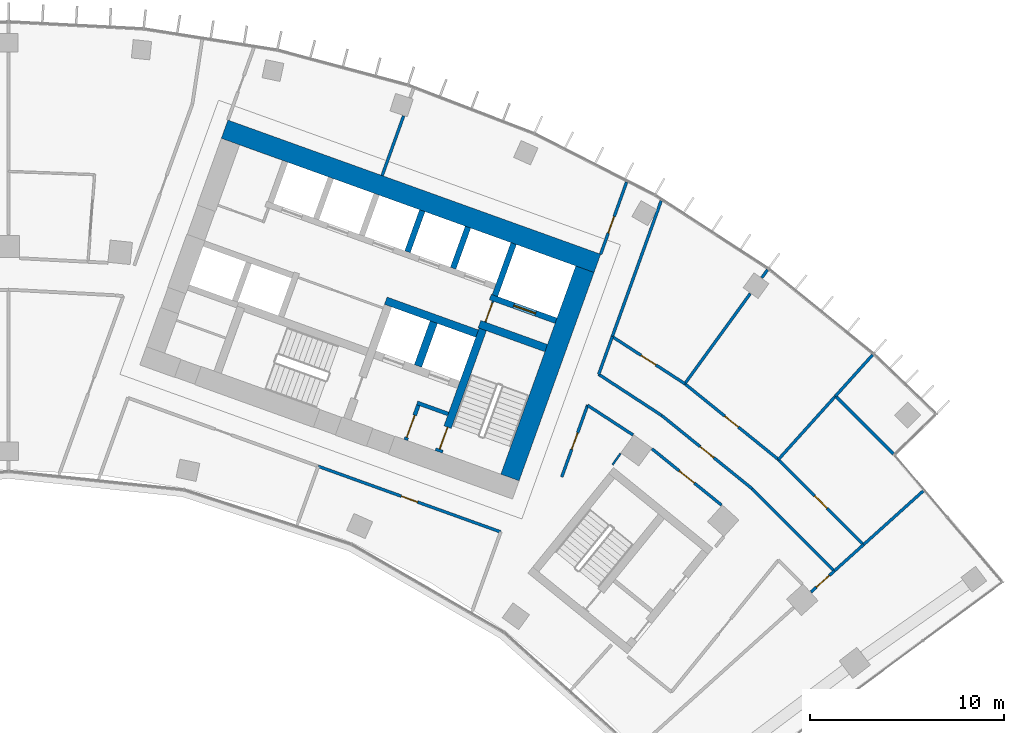
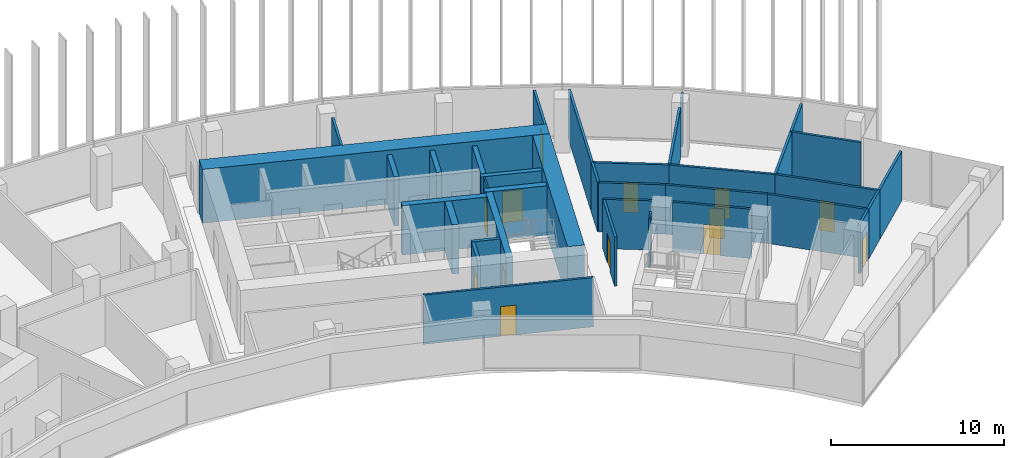
# One storey, part 17 of 19: 36 walls, 13 doors, 13 openings.
"""IFC4 building model written with IfcOpenShell, lengths in metres."""

from ifc_helpers import new_model, si_unit, direction, frame, frame_2d, origin, place, context, subcontext, project, spatial, rectangle, extrude, material, layer, layer_set, type_object, element, fill, save


model = new_model("IFC4")

# Units and contexts
model_context = context("Model", 3, precision=1e-05, world=origin(), true_north=direction((0.0, 1.0)))
body_context = subcontext(model_context, "Body", "Model", "MODEL_VIEW")
ifc_project = project(units=[si_unit("LENGTHUNIT", "METRE"), si_unit("AREAUNIT", "SQUARE_METRE"), si_unit("VOLUMEUNIT", "CUBIC_METRE"), si_unit("PLANEANGLEUNIT", "RADIAN"), si_unit("MASSUNIT", "GRAM", prefix="KILO")], contexts=[model_context])

# Site, building, storey
site_placement = place(None, origin())
site = spatial("IfcSite", under=ifc_project, at=site_placement, CompositionType="ELEMENT")
building_placement = place(site_placement, origin())
building = spatial("IfcBuilding", under=site, at=building_placement, Name="Stone Belt Terrace Tower", CompositionType="ELEMENT")
storey_placement = place(building_placement, frame((0.0, 0.0, 223.800048828125)))
storey = spatial("IfcBuildingStorey", under=building, at=storey_placement, Name="L54", CompositionType="ELEMENT", Elevation=223.800048828125)

# Wall, opening, door
ifc_material_1 = material(Name="Plasterboard partition")
ifc_layer_1 = layer(ifc_material_1, 0.10009765625)
ifc_layer_set_1 = layer_set([ifc_layer_1], Name="Core partition 100")
wall_type_1 = type_object("IfcWallType", Name="Core partition 100", PredefinedType="PARTITIONING", material=ifc_layer_set_1)
wall_1_placement = place(storey_placement, frame((24.555908203125, 51.10400390625, 0.0), z_axis=(0.0, 0.0, 1.0), x_axis=(0.338621735342, 0.94092258999, 0.0)))
wall_1 = element("IfcWall", 1, at=wall_1_placement, inside=storey, type_object=wall_type_1, Name="Core B wall", PredefinedType="PARTITIONING", context=body_context, shape_type="SweptSolid", body=[
    extrude(rectangle(XDim=1.14990234375, YDim=0.10009765625, at=frame_2d((0.574951171875, 0.0))), origin(), (0.0, 0.0, 1.0), 3.47998046875),
])
opening_1_placement = place(wall_1_placement, frame((0.050048828125, 0.0, 0.0)))
opening_1 = element("IfcOpeningElement", 2, at=opening_1_placement, cuts=wall_1, Name="Opening L54-C14", PredefinedType="OPENING", context=body_context, shape_type="SweptSolid", body=[
    extrude(rectangle(XDim=1.0, YDim=2.10009765625, at=frame_2d((0.5, 1.050048828125))), frame((0.0, 0.06005859375, 0.0), z_axis=(0.0, -1.0, 0.0), x_axis=(1.0, 0.0, 0.0)), (0.0, 0.0, 1.0), 0.1201171875),
])
ifc_material_2 = material(Name="Timber door leaf", Category="wood")
door_type_1 = type_object("IfcDoorType", Name="Core room door 1000", OperationType="SINGLE_SWING_LEFT", PredefinedType="DOOR", material=ifc_material_2)
door_1_placement = place(opening_1_placement, origin())
door_1 = element("IfcDoor", 3, at=door_1_placement, inside=storey, type_object=door_type_1, Name="Service lift lobby door core B", OperationType="SINGLE_SWING_LEFT", OverallHeight=2.10009765625, OverallWidth=1.0, PredefinedType="DOOR", context=body_context, shape_type="SweptSolid", body=[
    extrude(rectangle(XDim=1.0, YDim=2.10009765625, at=frame_2d((0.5, 1.050048828125))), frame((0.0, 0.02490234375, 0.0), z_axis=(0.0, -1.0, 0.0), x_axis=(1.0, 0.0, 0.0)), (0.0, 0.0, 1.0), 0.050048828125),
])
fill(opening_1, door_1)

# Walls
ifc_material_3 = material(Name="Concrete B60", Category="concrete")
ifc_layer_2 = layer(ifc_material_3, 1.0)
ifc_layer_set_2 = layer_set([ifc_layer_2], Name="Core wall 1000 B60")
wall_type_2 = type_object("IfcWallType", Name="Core wall 1000 B60", PredefinedType="SHEAR", material=ifc_layer_set_2)
wall_2_placement = place(storey_placement, frame((11.12646484375, 61.038330078125, 0.0), z_axis=(0.0, 0.0, 1.0), x_axis=(0.940921428504, -0.338624962727, 0.0)))
element("IfcWall", 4, at=wall_2_placement, inside=storey, type_object=wall_type_2, Name="Core B wall convex L54", PredefinedType="SHEAR", context=body_context, shape_type="SweptSolid", body=[
    extrude(rectangle(XDim=20.400146484375, YDim=1.0, at=frame_2d((10.2001953125, 0.0))), origin(), (0.0, 0.0, 1.0), 3.800048828125),
])
wall_3_placement = place(storey_placement, frame((25.821044921875, 43.102783203125, 0.0), z_axis=(0.0, 0.0, 1.0), x_axis=(0.338625431531, 0.940921259788, 0.0)))
element("IfcWall", 5, at=wall_3_placement, inside=storey, type_object=wall_type_2, Name="Core B wall end_b L54", PredefinedType="SHEAR", context=body_context, shape_type="SweptSolid", body=[
    extrude(rectangle(XDim=11.400146484375, YDim=1.0, at=frame_2d((5.7001953125, 0.0))), origin(), (0.0, 0.0, 1.0), 3.800048828125),
])
ifc_material_4 = material(Name="Concrete B80", Category="concrete")
ifc_layer_3 = layer(ifc_material_4, 0.39990234375)
ifc_layer_set_3 = layer_set([ifc_layer_3], Name="Fire-fighting lift shaft wall 400")
wall_type_3 = type_object("IfcWallType", Name="Fire-fighting lift shaft wall 400", PredefinedType="SHEAR", material=ifc_layer_set_3)
wall_4_placement = place(storey_placement, frame((24.130615234375, 50.512939453125, 0.0), z_axis=(0.0, 0.0, 1.0), x_axis=(-0.94091168377, 0.338652038744, 0.0)))
element("IfcWall", 6, at=wall_4_placement, inside=storey, type_object=wall_type_3, Name="Core B wall", PredefinedType="SHEAR", context=body_context, shape_type="SweptSolid", body=[
    extrude(rectangle(XDim=5.000244140625, YDim=0.39990234375, at=frame_2d((2.5, 0.0))), origin(), (0.0, 0.0, 1.0), 3.47998046875),
])
wall_5_placement = place(storey_placement, frame((21.0859375, 48.845458984375, 0.0), z_axis=(0.0, 0.0, 1.0), x_axis=(0.338629416206, 0.940919825745, 0.0)))
element("IfcWall", 7, at=wall_5_placement, inside=storey, type_object=wall_type_3, Name="Core B wall", PredefinedType="SHEAR", context=body_context, shape_type="SweptSolid", body=[
    extrude(rectangle(XDim=2.400146484375, YDim=0.39990234375, at=frame_2d((1.2001953125, 0.0))), origin(), (0.0, 0.0, 1.0), 3.47998046875),
])

# Wall, opening, door
ifc_layer_4 = layer(ifc_material_4, 0.300048828125)
ifc_layer_set_4 = layer_set([ifc_layer_4], Name="Lift shaft wall 300")
wall_type_4 = type_object("IfcWallType", Name="Lift shaft wall 300", PredefinedType="SHEAR", material=ifc_layer_set_4)
wall_6_placement = place(storey_placement, frame((28.195068359375, 51.17578125, 0.0), z_axis=(0.0, 0.0, 1.0), x_axis=(-0.940901243567, 0.338681044427, 0.0)))
wall_6 = element("IfcWall", 8, at=wall_6_placement, inside=storey, type_object=wall_type_4, Name="Core B wall", PredefinedType="SHEAR", context=body_context, shape_type="SweptSolid", body=[
    extrude(rectangle(XDim=3.599853515625, YDim=0.300048828125, at=frame_2d((1.7998046875, 0.0))), origin(), (0.0, 0.0, 1.0), 3.47998046875),
])
opening_2_placement = place(wall_6_placement, frame((1.1201171875, 0.0, 0.0)))
opening_2 = element("IfcOpeningElement", 9, at=opening_2_placement, cuts=wall_6, Name="Opening L54-LD16", PredefinedType="OPENING", context=body_context, shape_type="SweptSolid", body=[
    extrude(rectangle(XDim=1.199951171875, YDim=2.199951171875, at=frame_2d((0.60009765625, 1.10009765625))), frame((0.0, 0.159912109375, 0.0), z_axis=(0.0, -1.0, 0.0), x_axis=(1.0, 0.0, 0.0)), (0.0, 0.0, 1.0), 0.320068359375),
])
ifc_material_5 = material(Name="Stainless steel door leaf", Category="steel")
door_type_2 = type_object("IfcDoorType", Name="Landing door 1200", OperationType="SLIDING_TO_LEFT", PredefinedType="DOOR", material=ifc_material_5)
door_2_placement = place(opening_2_placement, origin())
door_2 = element("IfcDoor", 10, at=door_2_placement, inside=storey, type_object=door_type_2, Name="Landing door SV1 core B", OperationType="SLIDING_TO_LEFT", OverallHeight=2.199951171875, OverallWidth=1.199951171875, PredefinedType="DOOR", context=body_context, shape_type="SweptSolid", body=[
    extrude(rectangle(XDim=1.199951171875, YDim=2.199951171875, at=frame_2d((0.60009765625, 1.10009765625))), frame((0.0, 0.02490234375, 0.0), z_axis=(0.0, -1.0, 0.0), x_axis=(1.0, 0.0, 0.0)), (0.0, 0.0, 1.0), 0.050048828125),
])
fill(opening_2, door_2)

# Walls
wall_7_placement = place(storey_placement, frame((25.046875, 52.46826171875, 0.0), z_axis=(0.0, 0.0, 1.0), x_axis=(0.338549588058, 0.940948551423, 0.0)))
element("IfcWall", 11, at=wall_7_placement, inside=storey, type_object=wall_type_4, Name="Core B wall", PredefinedType="SHEAR", context=body_context, shape_type="SweptSolid", body=[
    extrude(rectangle(XDim=2.849853515625, YDim=0.300048828125, at=frame_2d((1.4248046875, 0.0))), origin(), (0.0, 0.0, 1.0), 3.47998046875),
])
wall_8_placement = place(storey_placement, frame((22.897705078125, 53.87939453125, 0.0), z_axis=(0.0, 0.0, 1.0), x_axis=(0.338535034312, 0.940953787677, 0.0)))
element("IfcWall", 12, at=wall_8_placement, inside=storey, type_object=wall_type_4, Name="Core B wall", PredefinedType="SHEAR", context=body_context, shape_type="SweptSolid", body=[
    extrude(rectangle(XDim=2.25, YDim=0.300048828125, at=frame_2d((1.125, 0.0))), origin(), (0.0, 0.0, 1.0), 3.47998046875),
])
wall_9_placement = place(storey_placement, frame((20.54541015625, 54.72607421875, 0.0), z_axis=(0.0, 0.0, 1.0), x_axis=(0.338569601369, 0.940941350472, 0.0)))
element("IfcWall", 13, at=wall_9_placement, inside=storey, type_object=wall_type_4, Name="Core B wall", PredefinedType="SHEAR", context=body_context, shape_type="SweptSolid", body=[
    extrude(rectangle(XDim=2.249755859375, YDim=0.300048828125, at=frame_2d((1.125, 0.0))), origin(), (0.0, 0.0, 1.0), 3.47998046875),
])
ifc_material_6 = material(Name="Gypsum board partition")
ifc_layer_5 = layer(ifc_material_6, 0.10009765625)
ifc_layer_set_5 = layer_set([ifc_layer_5], Name="PARTITION 100")
wall_type_5 = type_object("IfcWallType", Name="PARTITION 100", PredefinedType="PARTITIONING", material=ifc_layer_set_5)
wall_10_placement = place(storey_placement, frame((31.10302734375, 43.760009765625, 0.0), z_axis=(0.0, 0.0, 1.0), x_axis=(0.578960753256, 0.815355410965, 0.0)))
element("IfcWall", 14, at=wall_10_placement, inside=storey, type_object=wall_type_5, Name="L54/wall/i060", PredefinedType="PARTITIONING", context=body_context, shape_type="SweptSolid", body=[
    extrude(rectangle(XDim=0.71044921875, YDim=0.10009765625, at=frame_2d((0.355224609375, 0.0))), origin(), (0.0, 0.0, 1.0), 3.47998046875),
])

# Wall, opening, door
ifc_layer_6 = layer(ifc_material_6, 0.14990234375)
ifc_layer_set_6 = layer_set([ifc_layer_6], Name="PARTITION 150 EI 60")
wall_type_6 = type_object("IfcWallType", Name="PARTITION 150 EI 60", PredefinedType="PARTITIONING", material=ifc_layer_set_6)
wall_11_placement = place(storey_placement, frame((30.490966796875, 54.60107421875, 0.0), z_axis=(0.0, 0.0, 1.0), x_axis=(0.338542007836, 0.940951278723, 0.0)))
wall_11 = element("IfcWall", 15, at=wall_11_placement, inside=storey, type_object=wall_type_6, Name="L54/wall/i022", PredefinedType="PARTITIONING", context=body_context, shape_type="SweptSolid", body=[
    extrude(rectangle(XDim=3.946044921875, YDim=0.14990234375, at=frame_2d((1.97314453125, 0.0))), origin(), (0.0, 0.0, 1.0), 3.47998046875),
])
opening_3_placement = place(wall_11_placement, frame((1.15625, 0.0, 0.0)))
opening_3 = element("IfcOpeningElement", 16, at=opening_3_placement, cuts=wall_11, Name="Opening D-D3-08", PredefinedType="OPENING", context=body_context, shape_type="SweptSolid", body=[
    extrude(rectangle(XDim=0.89990234375, YDim=2.10009765625, at=frame_2d((0.449951171875, 1.050048828125))), frame((0.0, 0.0849609375, 0.0), z_axis=(0.0, -1.0, 0.0), x_axis=(1.0, 0.0, 0.0)), (0.0, 0.0, 1.0), 0.169921875),
])
door_type_3 = type_object("IfcDoorType", Name="OFFICE DOOR 900 X 2100", OperationType="NOTDEFINED", PredefinedType="DOOR", material=ifc_material_2)
door_3_placement = place(opening_3_placement, origin())
door_3 = element("IfcDoor", 17, at=door_3_placement, inside=storey, type_object=door_type_3, Name="L54/door/i08", OperationType="SINGLE_SWING_LEFT", OverallHeight=2.10009765625, OverallWidth=0.89990234375, PredefinedType="DOOR", context=body_context, shape_type="SweptSolid", body=[
    extrude(rectangle(XDim=0.89990234375, YDim=2.10009765625, at=frame_2d((0.449951171875, 1.050048828125))), frame((0.0, 0.02490234375, 0.0), z_axis=(0.0, -1.0, 0.0), x_axis=(1.0, 0.0, 0.0)), (0.0, 0.0, 1.0), 0.050048828125),
])
fill(opening_3, door_3)

wall_12_placement = place(storey_placement, frame((29.819091796875, 46.826904296875, 0.0), z_axis=(0.0, 0.0, 1.0), x_axis=(-0.338668875698, -0.940905623659, 0.0)))
wall_12 = element("IfcWall", 18, at=wall_12_placement, inside=storey, type_object=wall_type_6, Name="L54/wall/i023", PredefinedType="PARTITIONING", context=body_context, shape_type="SweptSolid", body=[
    extrude(rectangle(XDim=3.93017578125, YDim=0.14990234375, at=frame_2d((1.965087890625, 0.0))), origin(), (0.0, 0.0, 1.0), 3.47998046875),
])
opening_4_placement = place(wall_12_placement, frame((1.51513671875, 0.0, 0.0)))
opening_4 = element("IfcOpeningElement", 19, at=opening_4_placement, cuts=wall_12, Name="Opening D-D3-17", PredefinedType="OPENING", context=body_context, shape_type="SweptSolid", body=[
    extrude(rectangle(XDim=0.89990234375, YDim=2.10009765625, at=frame_2d((0.449951171875, 1.050048828125))), frame((0.0, 0.0849609375, 0.0), z_axis=(0.0, -1.0, 0.0), x_axis=(1.0, 0.0, 0.0)), (0.0, 0.0, 1.0), 0.169921875),
])
door_4_placement = place(opening_4_placement, origin())
door_4 = element("IfcDoor", 20, at=door_4_placement, inside=storey, type_object=door_type_3, Name="L54/door/i17", OperationType="SINGLE_SWING_RIGHT", OverallHeight=2.10009765625, OverallWidth=0.89990234375, PredefinedType="DOOR", context=body_context, shape_type="SweptSolid", body=[
    extrude(rectangle(XDim=0.89990234375, YDim=2.10009765625, at=frame_2d((0.449951171875, 1.050048828125))), frame((0.0, 0.02490234375, 0.0), z_axis=(0.0, -1.0, 0.0), x_axis=(1.0, 0.0, 0.0)), (0.0, 0.0, 1.0), 0.050048828125),
])
fill(opening_4, door_4)

# Walls
wall_13_placement = place(storey_placement, frame((31.092041015625, 50.363037109375, 0.0), z_axis=(0.0, 0.0, 1.0), x_axis=(-0.338719468273, -0.940887411869, 0.0)))
element("IfcWall", 21, at=wall_13_placement, inside=storey, type_object=wall_type_6, Name="L54/wall/i025", PredefinedType="PARTITIONING", context=body_context, shape_type="SweptSolid", body=[
    extrude(rectangle(XDim=2.075927734375, YDim=0.14990234375, at=frame_2d((1.0380859375, 0.0))), origin(), (0.0, 0.0, 1.0), 3.47998046875),
])
wall_14_placement = place(storey_placement, frame((33.60791015625, 57.35400390625, 0.0), z_axis=(0.0, 0.0, 1.0), x_axis=(-0.33863814551, -0.940916684094, 0.0)))
element("IfcWall", 22, at=wall_14_placement, inside=storey, type_object=wall_type_6, Name="L54/wall/i026", PredefinedType="PARTITIONING", context=body_context, shape_type="SweptSolid", body=[
    extrude(rectangle(XDim=7.441650390625, YDim=0.14990234375, at=frame_2d((3.720703125, 0.0))), origin(), (0.0, 0.0, 1.0), 3.47998046875),
])

# Wall, opening, door
wall_15_placement = place(storey_placement, frame((25.343017578125, 40.299072265625, 0.0), z_axis=(0.0, 0.0, 1.0), x_axis=(-0.940924167652, 0.338617351488, 0.0)))
wall_15 = element("IfcWall", 23, at=wall_15_placement, inside=storey, type_object=wall_type_6, Name="L54/wall/i028", PredefinedType="PARTITIONING", context=body_context, shape_type="SweptSolid", body=[
    extrude(rectangle(XDim=9.989990234375, YDim=0.14990234375, at=frame_2d((4.9951171875, 0.0))), origin(), (0.0, 0.0, 1.0), 3.47998046875),
])
opening_5_placement = place(wall_15_placement, frame((4.545166015625, 0.0, 0.0)))
opening_5 = element("IfcOpeningElement", 24, at=opening_5_placement, cuts=wall_15, Name="Opening D-D3-06", PredefinedType="OPENING", context=body_context, shape_type="SweptSolid", body=[
    extrude(rectangle(XDim=0.89990234375, YDim=2.10009765625, at=frame_2d((0.449951171875, 1.050048828125))), frame((0.0, 0.0849609375, 0.0), z_axis=(0.0, -1.0, 0.0), x_axis=(1.0, 0.0, 0.0)), (0.0, 0.0, 1.0), 0.169921875),
])
door_5_placement = place(opening_5_placement, origin())
door_5 = element("IfcDoor", 25, at=door_5_placement, inside=storey, type_object=door_type_3, Name="L54/door/i06", OperationType="SINGLE_SWING_RIGHT", OverallHeight=2.10009765625, OverallWidth=0.89990234375, PredefinedType="DOOR", context=body_context, shape_type="SweptSolid", body=[
    extrude(rectangle(XDim=0.89990234375, YDim=2.10009765625, at=frame_2d((0.449951171875, 1.050048828125))), frame((0.0, 0.02490234375, 0.0), z_axis=(0.0, -1.0, 0.0), x_axis=(1.0, 0.0, 0.0)), (0.0, 0.0, 1.0), 0.050048828125),
])
fill(opening_5, door_5)

# Wall
wall_16_placement = place(storey_placement, frame((20.343017578125, 61.71826171875, 0.0), z_axis=(0.0, 0.0, 1.0), x_axis=(-0.33855509188, -0.940946571152, 0.0)))
element("IfcWall", 26, at=wall_16_placement, inside=storey, type_object=wall_type_6, Name="L54/wall/i031", PredefinedType="PARTITIONING", context=body_context, shape_type="SweptSolid", body=[
    extrude(rectangle(XDim=3.260986328125, YDim=0.14990234375, at=frame_2d((1.63037109375, 0.0))), origin(), (0.0, 0.0, 1.0), 3.47998046875),
])

# Wall, opening, door
wall_17_placement = place(storey_placement, frame((42.531005859375, 38.2939453125, 0.0), z_axis=(0.0, 0.0, 1.0), x_axis=(-0.743450987947, -0.668790421972, 0.0)))
wall_17 = element("IfcWall", 27, at=wall_17_placement, inside=storey, type_object=wall_type_6, Name="L54/wall/i047", PredefinedType="PARTITIONING", context=body_context, shape_type="SweptSolid", body=[
    extrude(rectangle(XDim=1.625244140625, YDim=0.14990234375, at=frame_2d((0.8125, 0.0))), origin(), (0.0, 0.0, 1.0), 3.47998046875),
])
opening_6_placement = place(wall_17_placement, frame((0.36279296875, 0.0, 0.0)))
opening_6 = element("IfcOpeningElement", 28, at=opening_6_placement, cuts=wall_17, Name="Opening D-D3-15", PredefinedType="OPENING", context=body_context, shape_type="SweptSolid", body=[
    extrude(rectangle(XDim=0.89990234375, YDim=2.10009765625, at=frame_2d((0.449951171875, 1.050048828125))), frame((0.0, 0.0849609375, 0.0), z_axis=(0.0, -1.0, 0.0), x_axis=(1.0, 0.0, 0.0)), (0.0, 0.0, 1.0), 0.169921875),
])
door_6_placement = place(opening_6_placement, origin())
door_6 = element("IfcDoor", 29, at=door_6_placement, inside=storey, type_object=door_type_3, Name="L54/door/i15", OperationType="SINGLE_SWING_RIGHT", OverallHeight=2.10009765625, OverallWidth=0.89990234375, PredefinedType="DOOR", context=body_context, shape_type="SweptSolid", body=[
    extrude(rectangle(XDim=0.89990234375, YDim=2.10009765625, at=frame_2d((0.449951171875, 1.050048828125))), frame((0.0, 0.02490234375, 0.0), z_axis=(0.0, -1.0, 0.0), x_axis=(1.0, 0.0, 0.0)), (0.0, 0.0, 1.0), 0.050048828125),
])
fill(opening_6, door_6)

# Walls
wall_18_placement = place(storey_placement, frame((42.52197265625, 38.287109375, 0.0), z_axis=(0.0, 0.0, 1.0), x_axis=(0.74306127458, 0.669223387382, 0.0)))
element("IfcWall", 30, at=wall_18_placement, inside=storey, type_object=wall_type_6, Name="L54/wall/i049", PredefinedType="PARTITIONING", context=body_context, shape_type="SweptSolid", body=[
    extrude(rectangle(XDim=2.033447265625, YDim=0.14990234375, at=frame_2d((1.0166015625, 0.0))), origin(), (0.0, 0.0, 1.0), 3.47998046875),
])
wall_19_placement = place(storey_placement, frame((44.02490234375, 39.639892578125, 0.0), z_axis=(0.0, 0.0, 1.0), x_axis=(0.743144572165, 0.66913088769, 0.0)))
element("IfcWall", 31, at=wall_19_placement, inside=storey, type_object=wall_type_6, Name="L54/wall/i050", PredefinedType="PARTITIONING", context=body_context, shape_type="SweptSolid", body=[
    extrude(rectangle(XDim=4.1396484375, YDim=0.14990234375, at=frame_2d((2.06982421875, 0.0))), origin(), (0.0, 0.0, 1.0), 3.47998046875),
])

# Wall, opening, door
wall_20_placement = place(storey_placement, frame((36.716064453125, 41.681396484375, 0.0), z_axis=(0.0, 0.0, 1.0), x_axis=(-0.777157211672, 0.629306497937, 0.0)))
wall_20 = element("IfcWall", 32, at=wall_20_placement, inside=storey, type_object=wall_type_6, Name="L54/wall/i051", PredefinedType="PARTITIONING", context=body_context, shape_type="SweptSolid", body=[
    extrude(rectangle(XDim=4.60546875, YDim=0.14990234375, at=frame_2d((2.302734375, 0.0))), origin(), (0.0, 0.0, 1.0), 3.47998046875),
])
opening_7_placement = place(wall_20_placement, frame((1.802734375, 0.0, 0.0)))
opening_7 = element("IfcOpeningElement", 33, at=opening_7_placement, cuts=wall_20, Name="Opening D-D3-16", PredefinedType="OPENING", context=body_context, shape_type="SweptSolid", body=[
    extrude(rectangle(XDim=1.0, YDim=2.10009765625, at=frame_2d((0.5, 1.050048828125))), frame((0.0, 0.0849609375, 0.0), z_axis=(0.0, -1.0, 0.0), x_axis=(1.0, 0.0, 0.0)), (0.0, 0.0, 1.0), 0.169921875),
])
ifc_material_7 = material(Name="Timber fire door leaf", Category="wood")
door_type_4 = type_object("IfcDoorType", Name="TENANCY ENTRANCE DOOR 1000 X 2100", OperationType="NOTDEFINED", PredefinedType="DOOR", material=ifc_material_7)
door_7_placement = place(opening_7_placement, origin())
door_7 = element("IfcDoor", 34, at=door_7_placement, inside=storey, type_object=door_type_4, Name="L54/door/i16", OperationType="SINGLE_SWING_RIGHT", OverallHeight=2.10009765625, OverallWidth=1.0, PredefinedType="DOOR", context=body_context, shape_type="SweptSolid", body=[
    extrude(rectangle(XDim=1.0, YDim=2.10009765625, at=frame_2d((0.5, 1.050048828125))), frame((0.0, 0.02490234375, 0.0), z_axis=(0.0, -1.0, 0.0), x_axis=(1.0, 0.0, 0.0)), (0.0, 0.0, 1.0), 0.050048828125),
])
fill(opening_7, door_7)

# Walls
wall_21_placement = place(storey_placement, frame((32.1591796875, 45.29248046875, 0.0), z_axis=(0.0, 0.0, 1.0), x_axis=(-0.837449064317, 0.546515383749, 0.0)))
element("IfcWall", 35, at=wall_21_placement, inside=storey, type_object=wall_type_6, Name="L54/wall/i052", PredefinedType="PARTITIONING", context=body_context, shape_type="SweptSolid", body=[
    extrude(rectangle(XDim=2.796875, YDim=0.14990234375, at=frame_2d((1.3984375, 0.0))), origin(), (0.0, 0.0, 1.0), 3.47998046875),
])
wall_22_placement = place(storey_placement, frame((30.39111328125, 48.4150390625, 0.0), z_axis=(0.0, 0.0, 1.0), x_axis=(0.837265796004, -0.546796110851, 0.0)))
element("IfcWall", 36, at=wall_22_placement, inside=storey, type_object=wall_type_6, Name="L54/wall/i054", PredefinedType="PARTITIONING", context=body_context, shape_type="SweptSolid", body=[
    extrude(rectangle(XDim=3.87548828125, YDim=0.14990234375, at=frame_2d((1.937744140625, 0.0))), origin(), (0.0, 0.0, 1.0), 3.47998046875),
])

# Wall, opening, door
wall_23_placement = place(storey_placement, frame((33.635986328125, 46.2958984375, 0.0), z_axis=(0.0, 0.0, 1.0), x_axis=(0.777109127033, -0.629365875054, 0.0)))
wall_23 = element("IfcWall", 37, at=wall_23_placement, inside=storey, type_object=wall_type_6, Name="L54/wall/i055", PredefinedType="PARTITIONING", context=body_context, shape_type="SweptSolid", body=[
    extrude(rectangle(XDim=5.990234375, YDim=0.14990234375, at=frame_2d((2.9951171875, 0.0))), origin(), (0.0, 0.0, 1.0), 3.47998046875),
])
opening_8_placement = place(wall_23_placement, frame((2.545166015625, 0.0, 0.0)))
opening_8 = element("IfcOpeningElement", 38, at=opening_8_placement, cuts=wall_23, Name="Opening D-D3-19", PredefinedType="OPENING", context=body_context, shape_type="SweptSolid", body=[
    extrude(rectangle(XDim=0.89990234375, YDim=2.10009765625, at=frame_2d((0.449951171875, 1.050048828125))), frame((0.0, 0.0849609375, 0.0), z_axis=(0.0, -1.0, 0.0), x_axis=(1.0, 0.0, 0.0)), (0.0, 0.0, 1.0), 0.169921875),
])
door_8_placement = place(opening_8_placement, origin())
door_8 = element("IfcDoor", 39, at=door_8_placement, inside=storey, type_object=door_type_3, Name="L54/door/i19", OperationType="SINGLE_SWING_RIGHT", OverallHeight=2.10009765625, OverallWidth=0.89990234375, PredefinedType="DOOR", context=body_context, shape_type="SweptSolid", body=[
    extrude(rectangle(XDim=0.89990234375, YDim=2.10009765625, at=frame_2d((0.449951171875, 1.050048828125))), frame((0.0, 0.02490234375, 0.0), z_axis=(0.0, -1.0, 0.0), x_axis=(1.0, 0.0, 0.0)), (0.0, 0.0, 1.0), 0.050048828125),
])
fill(opening_8, door_8)

# Wall
wall_24_placement = place(storey_placement, frame((38.291015625, 42.52587890625, 0.0), z_axis=(0.0, 0.0, 1.0), x_axis=(0.707106781187, -0.707106781187, 0.0)))
element("IfcWall", 40, at=wall_24_placement, inside=storey, type_object=wall_type_6, Name="L54/wall/i056", PredefinedType="PARTITIONING", context=body_context, shape_type="SweptSolid", body=[
    extrude(rectangle(XDim=5.989013671875, YDim=0.14990234375, at=frame_2d((2.99462890625, 0.0))), origin(), (0.0, 0.0, 1.0), 3.47998046875),
])

# Wall, opening, door
wall_25_placement = place(storey_placement, frame((31.090087890625, 50.35693359375, 0.0), z_axis=(0.0, 0.0, 1.0), x_axis=(0.838646515126, -0.544676071319, 0.0)))
wall_25 = element("IfcWall", 41, at=wall_25_placement, inside=storey, type_object=wall_type_6, Name="L54/wall/i061", PredefinedType="PARTITIONING", context=body_context, shape_type="SweptSolid", body=[
    extrude(rectangle(XDim=4.452392578125, YDim=0.14990234375, at=frame_2d((2.22607421875, 0.0))), origin(), (0.0, 0.0, 1.0), 3.47998046875),
])
opening_9_placement = place(wall_25_placement, frame((1.776123046875, 0.0, 0.0)))
opening_9 = element("IfcOpeningElement", 42, at=opening_9_placement, cuts=wall_25, Name="Opening D-D3-20", PredefinedType="OPENING", context=body_context, shape_type="SweptSolid", body=[
    extrude(rectangle(XDim=0.89990234375, YDim=2.10009765625, at=frame_2d((0.449951171875, 1.050048828125))), frame((0.0, 0.0849609375, 0.0), z_axis=(0.0, -1.0, 0.0), x_axis=(1.0, 0.0, 0.0)), (0.0, 0.0, 1.0), 0.169921875),
])
door_9_placement = place(opening_9_placement, origin())
door_9 = element("IfcDoor", 43, at=door_9_placement, inside=storey, type_object=door_type_3, Name="L54/door/i20", OperationType="SINGLE_SWING_RIGHT", OverallHeight=2.10009765625, OverallWidth=0.89990234375, PredefinedType="DOOR", context=body_context, shape_type="SweptSolid", body=[
    extrude(rectangle(XDim=0.89990234375, YDim=2.10009765625, at=frame_2d((0.449951171875, 1.050048828125))), frame((0.0, 0.02490234375, 0.0), z_axis=(0.0, -1.0, 0.0), x_axis=(1.0, 0.0, 0.0)), (0.0, 0.0, 1.0), 0.050048828125),
])
fill(opening_9, door_9)

wall_26_placement = place(storey_placement, frame((34.823974609375, 47.931884765625, 0.0), z_axis=(0.0, 0.0, 1.0), x_axis=(0.777176112755, -0.629283155473, 0.0)))
wall_26 = element("IfcWall", 44, at=wall_26_placement, inside=storey, type_object=wall_type_6, Name="L54/wall/i062", PredefinedType="PARTITIONING", context=body_context, shape_type="SweptSolid", body=[
    extrude(rectangle(XDim=6.2021484375, YDim=0.14990234375, at=frame_2d((3.10107421875, 0.0))), origin(), (0.0, 0.0, 1.0), 3.47998046875),
])
opening_10_placement = place(wall_26_placement, frame((2.651123046875, 0.0, 0.0)))
opening_10 = element("IfcOpeningElement", 45, at=opening_10_placement, cuts=wall_26, Name="Opening D-D3-21", PredefinedType="OPENING", context=body_context, shape_type="SweptSolid", body=[
    extrude(rectangle(XDim=0.89990234375, YDim=2.10009765625, at=frame_2d((0.449951171875, 1.050048828125))), frame((0.0, 0.0849609375, 0.0), z_axis=(0.0, -1.0, 0.0), x_axis=(1.0, 0.0, 0.0)), (0.0, 0.0, 1.0), 0.169921875),
])
door_10_placement = place(opening_10_placement, origin())
door_10 = element("IfcDoor", 46, at=door_10_placement, inside=storey, type_object=door_type_3, Name="L54/door/i21", OperationType="SINGLE_SWING_RIGHT", OverallHeight=2.10009765625, OverallWidth=0.89990234375, PredefinedType="DOOR", context=body_context, shape_type="SweptSolid", body=[
    extrude(rectangle(XDim=0.89990234375, YDim=2.10009765625, at=frame_2d((0.449951171875, 1.050048828125))), frame((0.0, 0.02490234375, 0.0), z_axis=(0.0, -1.0, 0.0), x_axis=(1.0, 0.0, 0.0)), (0.0, 0.0, 1.0), 0.050048828125),
])
fill(opening_10, door_10)

wall_27_placement = place(storey_placement, frame((39.639892578125, 44.032958984375, 0.0), z_axis=(0.0, 0.0, 1.0), x_axis=(0.707126447351, -0.707087114475, 0.0)))
wall_27 = element("IfcWall", 47, at=wall_27_placement, inside=storey, type_object=wall_type_6, Name="L54/wall/i063", PredefinedType="PARTITIONING", context=body_context, shape_type="SweptSolid", body=[
    extrude(rectangle(XDim=6.20703125, YDim=0.14990234375, at=frame_2d((3.103515625, 0.0))), origin(), (0.0, 0.0, 1.0), 3.47998046875),
])
opening_11_placement = place(wall_27_placement, frame((2.653564453125, 0.0, 0.0)))
opening_11 = element("IfcOpeningElement", 48, at=opening_11_placement, cuts=wall_27, Name="Opening D-D3-22", PredefinedType="OPENING", context=body_context, shape_type="SweptSolid", body=[
    extrude(rectangle(XDim=0.89990234375, YDim=2.10009765625, at=frame_2d((0.449951171875, 1.050048828125))), frame((0.0, 0.0849609375, 0.0), z_axis=(0.0, -1.0, 0.0), x_axis=(1.0, 0.0, 0.0)), (0.0, 0.0, 1.0), 0.169921875),
])
door_11_placement = place(opening_11_placement, origin())
door_11 = element("IfcDoor", 49, at=door_11_placement, inside=storey, type_object=door_type_3, Name="L54/door/i22", OperationType="SINGLE_SWING_RIGHT", OverallHeight=2.10009765625, OverallWidth=0.89990234375, PredefinedType="DOOR", context=body_context, shape_type="SweptSolid", body=[
    extrude(rectangle(XDim=0.89990234375, YDim=2.10009765625, at=frame_2d((0.449951171875, 1.050048828125))), frame((0.0, 0.02490234375, 0.0), z_axis=(0.0, -1.0, 0.0), x_axis=(1.0, 0.0, 0.0)), (0.0, 0.0, 1.0), 0.050048828125),
])
fill(opening_11, door_11)

# Walls
wall_28_placement = place(storey_placement, frame((39.087890625, 53.7998046875, 0.0), z_axis=(0.0, 0.0, 1.0), x_axis=(-0.588057050604, -0.808819451568, 0.0)))
element("IfcWall", 50, at=wall_28_placement, inside=storey, type_object=wall_type_6, Name="L54/wall/i064", PredefinedType="PARTITIONING", context=body_context, shape_type="SweptSolid", body=[
    extrude(rectangle(XDim=0.506591796875, YDim=0.14990234375, at=frame_2d((0.25341796875, 0.0))), origin(), (0.0, 0.0, 1.0), 3.47998046875),
])
wall_29_placement = place(storey_placement, frame((38.196533203125, 52.572998046875, 0.0), z_axis=(0.0, 0.0, 1.0), x_axis=(-0.587741422295, -0.809048836918, 0.0)))
element("IfcWall", 51, at=wall_29_placement, inside=storey, type_object=wall_type_6, Name="L54/wall/i065", PredefinedType="PARTITIONING", context=body_context, shape_type="SweptSolid", body=[
    extrude(rectangle(XDim=5.736572265625, YDim=0.14990234375, at=frame_2d((2.8681640625, 0.0))), origin(), (0.0, 0.0, 1.0), 3.47998046875),
])
wall_30_placement = place(storey_placement, frame((42.592041015625, 47.302978515625, 0.0), z_axis=(0.0, 0.0, 1.0), x_axis=(-0.669148410698, -0.743128793992, 0.0)))
element("IfcWall", 52, at=wall_30_placement, inside=storey, type_object=wall_type_6, Name="L54/wall/i066", PredefinedType="PARTITIONING", context=body_context, shape_type="SweptSolid", body=[
    extrude(rectangle(XDim=4.405517578125, YDim=0.14990234375, at=frame_2d((2.20263671875, 0.0))), origin(), (0.0, 0.0, 1.0), 3.47998046875),
])
wall_31_placement = place(storey_placement, frame((44.496826171875, 49.419189453125, 0.0), z_axis=(0.0, 0.0, 1.0), x_axis=(-0.669158170693, -0.743120005514, 0.0)))
element("IfcWall", 53, at=wall_31_placement, inside=storey, type_object=wall_type_6, Name="L54/wall/i067", PredefinedType="PARTITIONING", context=body_context, shape_type="SweptSolid", body=[
    extrude(rectangle(XDim=2.858642578125, YDim=0.14990234375, at=frame_2d((1.42919921875, 0.0))), origin(), (0.0, 0.0, 1.0), 3.47998046875),
])
wall_32_placement = place(storey_placement, frame((42.587890625, 47.299072265625, 0.0), z_axis=(0.0, 0.0, 1.0), x_axis=(0.707106781187, -0.707106781187, 0.0)))
element("IfcWall", 54, at=wall_32_placement, inside=storey, type_object=wall_type_6, Name="L54/wall/i068", PredefinedType="PARTITIONING", context=body_context, shape_type="SweptSolid", body=[
    extrude(rectangle(XDim=4.2099609375, YDim=0.14990234375, at=frame_2d((2.10498046875, 0.0))), origin(), (0.0, 0.0, 1.0), 3.47998046875),
])
ifc_material_8 = material(Name="Concrete masonry block", Category="masonry")
ifc_layer_7 = layer(ifc_material_8, 0.199951171875)
ifc_layer_set_7 = layer_set([ifc_layer_7], Name="Rated lobby wall 200")
wall_type_7 = type_object("IfcWallType", Name="Rated lobby wall 200", PredefinedType="PARTITIONING", material=ifc_layer_set_7)
wall_33_placement = place(storey_placement, frame((22.640625, 46.373046875, 0.0), z_axis=(0.0, 0.0, 1.0), x_axis=(-0.940966110313, 0.338500781747, 0.0)))
element("IfcWall", 55, at=wall_33_placement, inside=storey, type_object=wall_type_7, Name="Core B wall", PredefinedType="PARTITIONING", context=body_context, shape_type="SweptSolid", body=[
    extrude(rectangle(XDim=1.699951171875, YDim=0.199951171875, at=frame_2d((0.85009765625, 0.0))), origin(), (0.0, 0.0, 1.0), 3.47998046875),
])

# Wall, opening, door
wall_34_placement = place(storey_placement, frame((20.4580078125, 45.032958984375, 0.0), z_axis=(0.0, 0.0, 1.0), x_axis=(0.338573865316, 0.940939816208, 0.0)))
wall_34 = element("IfcWall", 56, at=wall_34_placement, inside=storey, type_object=wall_type_7, Name="Core B wall", PredefinedType="PARTITIONING", context=body_context, shape_type="SweptSolid", body=[
    extrude(rectangle(XDim=1.900146484375, YDim=0.199951171875, at=frame_2d((0.9501953125, 0.0))), origin(), (0.0, 0.0, 1.0), 3.47998046875),
])
opening_12_placement = place(wall_34_placement, frame((0.14990234375, 0.0, 0.0)))
opening_12 = element("IfcOpeningElement", 57, at=opening_12_placement, cuts=wall_34, Name="Opening L54-C17", PredefinedType="OPENING", context=body_context, shape_type="SweptSolid", body=[
    extrude(rectangle(XDim=1.199951171875, YDim=2.10009765625, at=frame_2d((0.60009765625, 1.050048828125))), frame((0.0, 0.10986328125, 0.0), z_axis=(0.0, -1.0, 0.0), x_axis=(1.0, 0.0, 0.0)), (0.0, 0.0, 1.0), 0.219970703125),
])
ifc_material_9 = material(Name="Steel door leaf", Category="steel")
door_type_5 = type_object("IfcDoorType", Name="Stair door 1200", OperationType="SINGLE_SWING_LEFT", PredefinedType="DOOR", material=ifc_material_9)
door_12_placement = place(opening_12_placement, origin())
door_12 = element("IfcDoor", 58, at=door_12_placement, inside=storey, type_object=door_type_5, Name="Stair airlock door core B", OperationType="SINGLE_SWING_LEFT", OverallHeight=2.10009765625, OverallWidth=1.199951171875, PredefinedType="DOOR", context=body_context, shape_type="SweptSolid", body=[
    extrude(rectangle(XDim=1.199951171875, YDim=2.10009765625, at=frame_2d((0.60009765625, 1.050048828125))), frame((0.0, 0.02490234375, 0.0), z_axis=(0.0, -1.0, 0.0), x_axis=(1.0, 0.0, 0.0)), (0.0, 0.0, 1.0), 0.050048828125),
])
fill(opening_12, door_12)

# Wall
ifc_layer_8 = layer(ifc_material_4, 0.39990234375)
ifc_layer_set_8 = layer_set([ifc_layer_8], Name="Stair enclosure wall 400")
wall_type_8 = type_object("IfcWallType", Name="Stair enclosure wall 400", PredefinedType="SHEAR", material=ifc_layer_set_8)
wall_35_placement = place(storey_placement, frame((27.687255859375, 49.764404296875, 0.0), z_axis=(0.0, 0.0, 1.0), x_axis=(-0.940918954884, 0.338631835981, 0.0)))
element("IfcWall", 59, at=wall_35_placement, inside=storey, type_object=wall_type_8, Name="Core B wall", PredefinedType="SHEAR", context=body_context, shape_type="SweptSolid", body=[
    extrude(rectangle(XDim=3.650146484375, YDim=0.39990234375, at=frame_2d((1.8251953125, 0.0))), origin(), (0.0, 0.0, 1.0), 3.47998046875),
])

# Wall, opening, door
wall_36_placement = place(storey_placement, frame((22.151611328125, 44.42333984375, 0.0), z_axis=(0.0, 0.0, 1.0), x_axis=(0.338625272931, 0.940921316866, 0.0)))
wall_36 = element("IfcWall", 60, at=wall_36_placement, inside=storey, type_object=wall_type_8, Name="Core B wall", PredefinedType="SHEAR", context=body_context, shape_type="SweptSolid", body=[
    extrude(rectangle(XDim=6.699951171875, YDim=0.39990234375, at=frame_2d((3.35009765625, 0.0))), origin(), (0.0, 0.0, 1.0), 3.47998046875),
])
opening_13_placement = place(wall_36_placement, frame((0.14990234375, 0.0, 0.0)))
opening_13 = element("IfcOpeningElement", 61, at=opening_13_placement, cuts=wall_36, Name="Opening L54-C16", PredefinedType="OPENING", context=body_context, shape_type="SweptSolid", body=[
    extrude(rectangle(XDim=1.199951171875, YDim=2.10009765625, at=frame_2d((0.60009765625, 1.050048828125))), frame((0.0, 0.2099609375, 0.0), z_axis=(0.0, -1.0, 0.0), x_axis=(1.0, 0.0, 0.0)), (0.0, 0.0, 1.0), 0.419921875),
])
door_13_placement = place(opening_13_placement, origin())
door_13 = element("IfcDoor", 62, at=door_13_placement, inside=storey, type_object=door_type_5, Name="Stair 1 door core B", OperationType="SINGLE_SWING_LEFT", OverallHeight=2.10009765625, OverallWidth=1.199951171875, PredefinedType="DOOR", context=body_context, shape_type="SweptSolid", body=[
    extrude(rectangle(XDim=1.199951171875, YDim=2.10009765625, at=frame_2d((0.60009765625, 1.050048828125))), frame((0.0, 0.02490234375, 0.0), z_axis=(0.0, -1.0, 0.0), x_axis=(1.0, 0.0, 0.0)), (0.0, 0.0, 1.0), 0.050048828125),
])
fill(opening_13, door_13)

save(model, "model.ifc")
